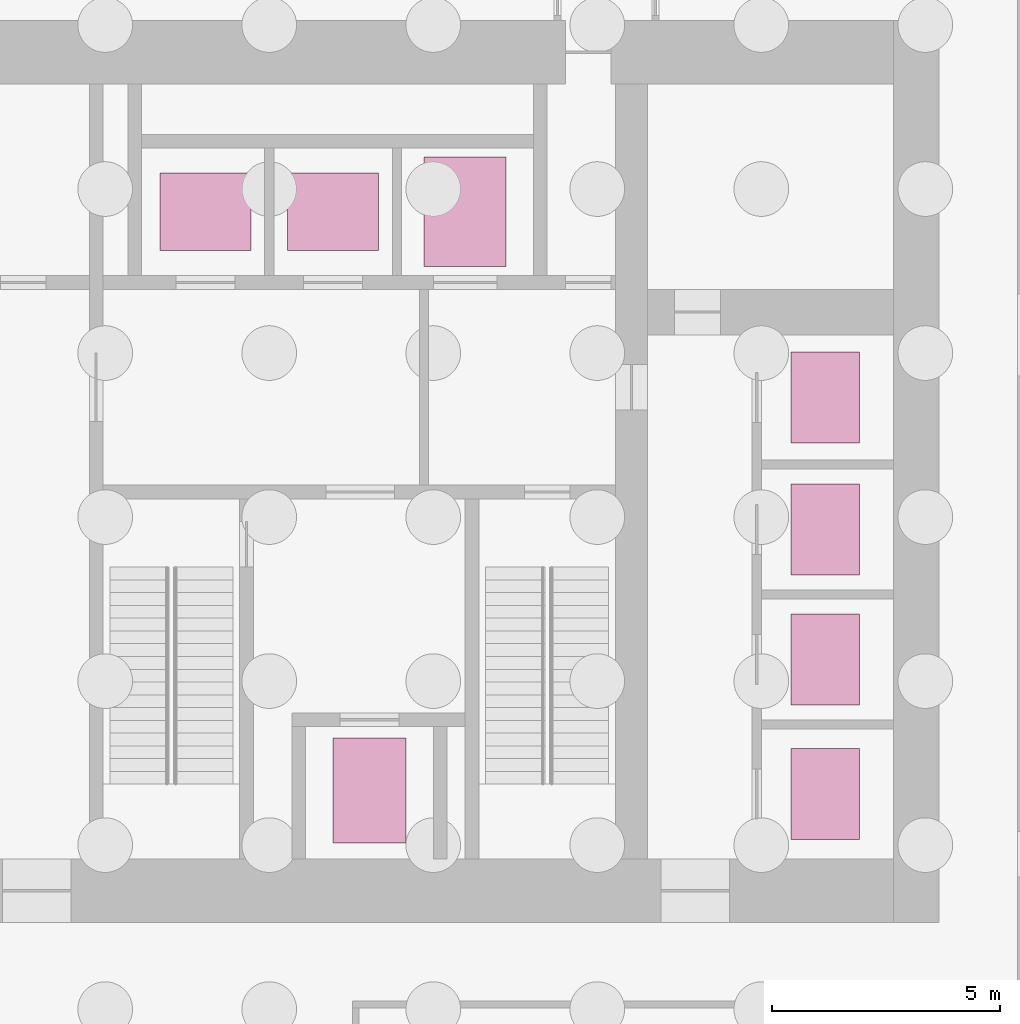
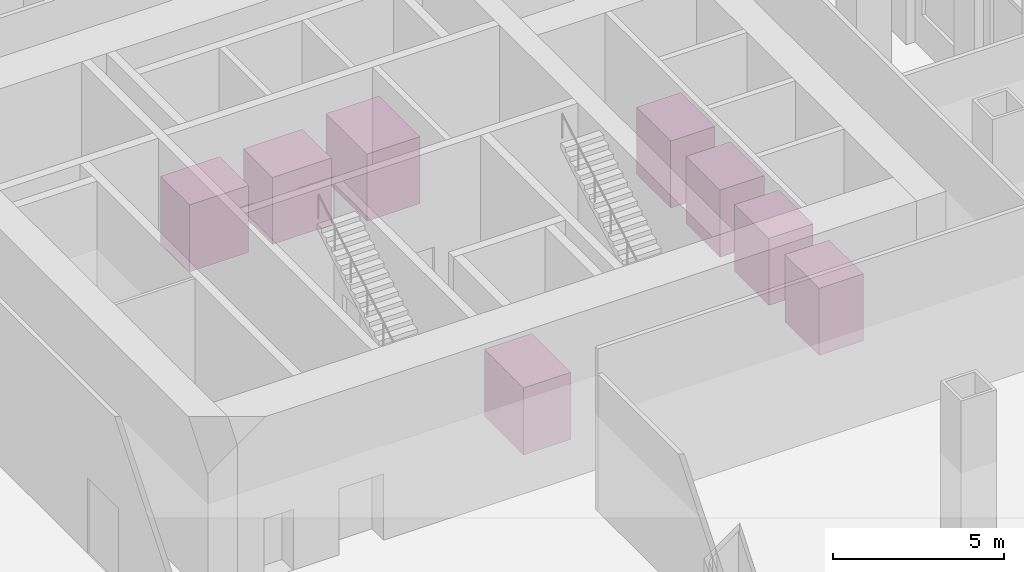
# One storey, part 17 of 17: 8 transport elements.
"""IFC4 building model written with IfcOpenShell, lengths in metres."""

from ifc_helpers import new_model, si_unit, direction, frame, origin, origin_2d, place, context, subcontext, project, spatial, rectangle, extrude, material, type_object, element, save


model = new_model("IFC4")

# Units and contexts
model_context = context("Model", 3, precision=1e-05, world=origin(), true_north=direction((0.0, 1.0)))
body_context = subcontext(model_context, "Body", "Model", "MODEL_VIEW")
ifc_project = project(units=[si_unit("LENGTHUNIT", "METRE"), si_unit("AREAUNIT", "SQUARE_METRE"), si_unit("VOLUMEUNIT", "CUBIC_METRE"), si_unit("PLANEANGLEUNIT", "RADIAN"), si_unit("MASSUNIT", "GRAM", prefix="KILO")], contexts=[model_context])

# Site, building, storey
site_placement = place(None, origin())
site = spatial("IfcSite", under=ifc_project, at=site_placement, CompositionType="ELEMENT")
building_placement = place(site_placement, origin())
building = spatial("IfcBuilding", under=site, at=building_placement, Name="Rimbunsela Tower", CompositionType="ELEMENT")
storey_placement = place(building_placement, origin())
storey = spatial("IfcBuildingStorey", under=building, at=storey_placement, Name="L00", CompositionType="ELEMENT", Elevation=0.0)

# Transport elements
ifc_material_1 = material(Name="Steel lift car", Category="steel")
transport_element_type_1 = type_object("IfcTransportElementType", Name="Firefighting lift 1600", PredefinedType="ELEVATOR", material=ifc_material_1)
transport_element_1_placement = place(storey_placement, frame((30.0, 20.0, 0.0), z_axis=(0.0, 0.0, 1.0), x_axis=(1.0, 0.0, 0.0)))
element("IfcTransportElement", 1, at=transport_element_1_placement, inside=storey, type_object=transport_element_type_1, Name="Firefighting lift FL1", PredefinedType="ELEVATOR", context=body_context, shape_type="SweptSolid", body=[
    extrude(rectangle(XDim=1.60009765625, YDim=2.300048828125, at=origin_2d()), origin(), (0.0, 0.0, 1.0), 2.39990234375),
])
ifc_material_2 = material(Name="Steel lift car", Category="steel")
transport_element_type_2 = type_object("IfcTransportElementType", Name="Firefighting service lift 2000", PredefinedType="ELEVATOR", material=ifc_material_2)
transport_element_2_placement = place(storey_placement, frame((32.10009765625, 32.699951171875, 0.0), z_axis=(0.0, 0.0, 1.0), x_axis=(1.0, 0.0, 0.0)))
element("IfcTransportElement", 2, at=transport_element_2_placement, inside=storey, type_object=transport_element_type_2, Name="Firefighting and service lift FL2", PredefinedType="ELEVATOR", context=body_context, shape_type="SweptSolid", body=[
    extrude(rectangle(XDim=1.800048828125, YDim=2.39990234375, at=origin_2d()), origin(), (0.0, 0.0, 1.0), 2.39990234375),
])
ifc_material_3 = material(Name="Steel lift car", Category="steel")
transport_element_type_3 = type_object("IfcTransportElementType", Name="Passenger lift 1350", PredefinedType="ELEVATOR", material=ifc_material_3)
for number, where, z_axis, x_axis, name in (
    (3, (40.0, 19.925048828125, 0.0), (0.0, 0.0, 1.0), (1.0, 0.0, 0.0), "Low-rise lift LL1"),
    (4, (40.0, 22.875, 0.0), (0.0, 0.0, 1.0), (1.0, 0.0, 0.0), "Low-rise lift LL2"),
    (5, (40.0, 25.72509765625, 0.0), (0.0, 0.0, 1.0), (1.0, 0.0, 0.0), "Low-rise lift LL3"),
    (6, (40.0, 28.625, 0.0), (0.0, 0.0, 1.0), (1.0, 0.0, 0.0), "Low-rise lift LL4"),
):
    element("IfcTransportElement", number, at=place(storey_placement, frame(where, z_axis=z_axis, x_axis=x_axis)), inside=storey, type_object=transport_element_type_3, Name=name, PredefinedType="ELEVATOR", context=body_context, shape_type="SweptSolid", body=[
        extrude(rectangle(XDim=1.5, YDim=2.0, at=origin_2d()), origin(), (0.0, 0.0, 1.0), 2.39990234375),
    ])
ifc_material_4 = material(Name="Steel lift car", Category="steel")
transport_element_type_4 = type_object("IfcTransportElementType", Name="Passenger lift 1600", PredefinedType="ELEVATOR", material=ifc_material_4)
for number, where, z_axis, x_axis, name in (
    (7, (26.39990234375, 32.699951171875, 0.0), (0.0, 0.0, 1.0), (1.0, 0.0, 0.0), "Shuttle lift SH1"),
    (8, (29.199951171875, 32.699951171875, 0.0), (0.0, 0.0, 1.0), (1.0, 0.0, 0.0), "Shuttle lift SH2"),
):
    element("IfcTransportElement", number, at=place(storey_placement, frame(where, z_axis=z_axis, x_axis=x_axis)), inside=storey, type_object=transport_element_type_4, Name=name, PredefinedType="ELEVATOR", context=body_context, shape_type="SweptSolid", body=[
        extrude(rectangle(XDim=2.0, YDim=1.699951171875, at=origin_2d()), origin(), (0.0, 0.0, 1.0), 2.39990234375),
    ])

save(model, "model.ifc")
